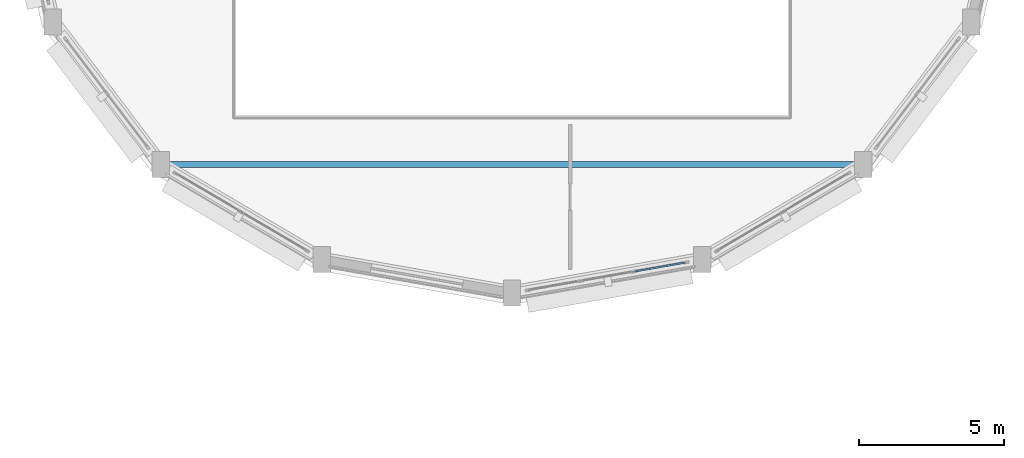
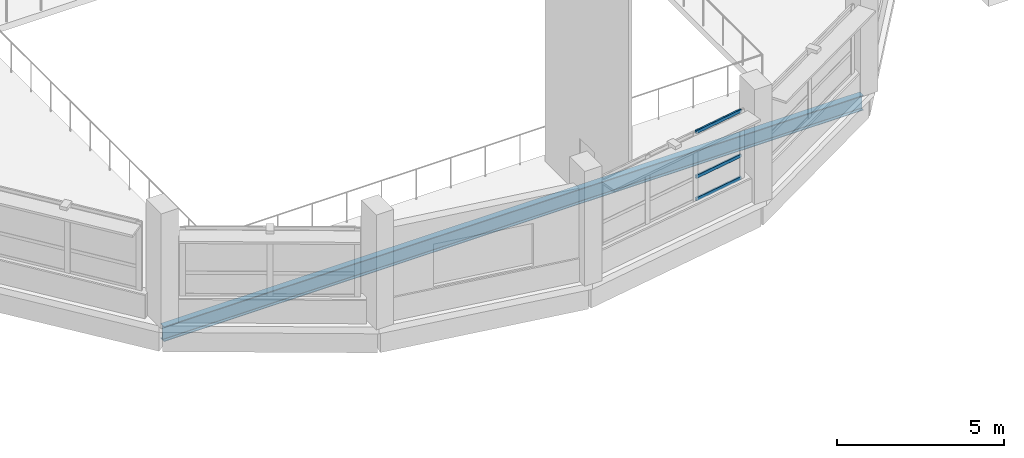
# One storey, part 93 of 128: 3 members, 1 beam, 1 element without a shape of its own.
"""IFC4 building model written with IfcOpenShell, lengths in metres."""

from ifc_helpers import new_model, si_unit, direction, frame, origin, origin_2d, place, context, subcontext, project, spatial, hollow_rectangle, i_section, extrude, material, layer, layer_set, material_profile, profile_set, type_object, element, aggregate, save


model = new_model("IFC4")

# Units and contexts
model_context = context("Model", 3, precision=1e-05, world=origin(), true_north=direction((0.0, 1.0)))
body_context = subcontext(model_context, "Body", "Model", "MODEL_VIEW")
ifc_project = project(units=[si_unit("LENGTHUNIT", "METRE"), si_unit("AREAUNIT", "SQUARE_METRE"), si_unit("VOLUMEUNIT", "CUBIC_METRE"), si_unit("PLANEANGLEUNIT", "RADIAN"), si_unit("MASSUNIT", "GRAM", prefix="KILO")], contexts=[model_context])

# Site, building, storey
site_placement = place(None, origin())
site = spatial("IfcSite", under=ifc_project, at=site_placement, CompositionType="ELEMENT")
building_placement = place(site_placement, origin())
building = spatial("IfcBuilding", under=site, at=building_placement, Name="Vespera Passage Community Centre", CompositionType="ELEMENT")
storey_placement = place(building_placement, frame((0.0, 0.0, 4.5)))
storey = spatial("IfcBuildingStorey", under=building, at=storey_placement, Name="L01", CompositionType="ELEMENT", Elevation=4.5)

# Beam
ifc_material_1 = material(Name="Steel ASTM A992 Grade 50", Category="steel")
ifc_material_profile_1 = material_profile(ifc_material_1, i_section(OverallWidth=0.2138671875, OverallDepth=0.548583984375, WebThickness=0.0146484375, FlangeThickness=0.023681640625, FilletRadius=0.0126953125, at=origin_2d()), Name="W21X93")
ifc_profile_set_1 = profile_set([ifc_material_profile_1], Name="Steel ASTM A992 Grade 50")
beam_type = type_object("IfcBeamType", Name="BM-G-W21X93", PredefinedType="BEAM", material=ifc_profile_set_1)
beam_placement = place(storey_placement, frame((130.908447265625, 78.82275390625, -0.514404296875), z_axis=(1.0, 0.0, 0.0), x_axis=(0.0, 1.0, 0.0)))
element("IfcBeam", 1, at=beam_placement, inside=storey, type_object=beam_type, Name="V2 L01 South Gallery Girder", PredefinedType="BEAM", context=body_context, shape_type="SweptSolid", body=[
    extrude(i_section(OverallWidth=0.2138671875, OverallDepth=0.548583984375, WebThickness=0.0146484375, FlangeThickness=0.023681640625, FilletRadius=0.0126953125, at=origin_2d()), origin(), (0.0, 0.0, 1.0), 24.18310546875),
])

# Curtain wall, members
ifc_material_2 = material(Name="Anodized aluminium 6063-T6", Category="aluminium")
ifc_layer = layer(ifc_material_2, 0.159912109375)
ifc_layer_set = layer_set([ifc_layer], Name="Anodized aluminium 6063-T6")
curtain_wall_type = type_object("IfcCurtainWallType", Name="CW-95E", PredefinedType="NOTDEFINED", material=ifc_layer_set)
curtain_wall_placement = place(storey_placement, origin())
curtain_wall = element("IfcCurtainWall", 2, at=curtain_wall_placement, inside=storey, type_object=curtain_wall_type, Name="Sports Drum Ribbon Curtain Wall L01.13", PredefinedType="NOTDEFINED")
ifc_material_3 = material(Name="Anodized aluminium 6063-T6", Category="aluminium")
ifc_material_profile_2 = material_profile(ifc_material_3, hollow_rectangle(XDim=0.06005859375, YDim=0.1201171875, WallThickness=0.00390625, InnerFilletRadius=0.001953125, OuterFilletRadius=0.00390625, at=origin_2d()), Name="ALU120X60X4")
ifc_profile_set_2 = profile_set([ifc_material_profile_2], Name="Anodized aluminium 6063-T6")
member_type = type_object("IfcMemberType", Name="MB-CWT-120E", PredefinedType="USERDEFINED", material=ifc_profile_set_2)
member_1_placement = place(storey_placement, frame((148.958251953125, 75.446533203125, 0.8798828125), z_axis=(-0.984924620758, -0.172984078529, 0.0), x_axis=(0.172984078529, -0.984924620758, 0.0)))
member_1 = element("IfcMember", 3, at=member_1_placement, type_object=member_type, Name="CW-95E transom 1.1", ObjectType="TRANSOM", PredefinedType="USERDEFINED", context=body_context, shape_type="SweptSolid", body=[
    extrude(hollow_rectangle(XDim=0.06005859375, YDim=0.1201171875, WallThickness=0.00390625, InnerFilletRadius=0.001953125, OuterFilletRadius=0.00390625, at=origin_2d()), origin(), (0.0, 0.0, 1.0), 1.755615234375),
])
member_2_placement = place(storey_placement, frame((148.958251953125, 75.446533203125, 1.699951171875), z_axis=(-0.984924620758, -0.172984078529, 0.0), x_axis=(0.172984078529, -0.984924620758, 0.0)))
member_2 = element("IfcMember", 4, at=member_2_placement, type_object=member_type, Name="CW-95E transom 1.2", ObjectType="TRANSOM", PredefinedType="USERDEFINED", context=body_context, shape_type="SweptSolid", body=[
    extrude(hollow_rectangle(XDim=0.06005859375, YDim=0.1201171875, WallThickness=0.00390625, InnerFilletRadius=0.001953125, OuterFilletRadius=0.00390625, at=origin_2d()), origin(), (0.0, 0.0, 1.0), 1.755615234375),
])
member_3_placement = place(storey_placement, frame((148.958251953125, 75.446533203125, 3.3349609375), z_axis=(-0.984924620758, -0.172984078529, 0.0), x_axis=(0.172984078529, -0.984924620758, 0.0)))
member_3 = element("IfcMember", 5, at=member_3_placement, type_object=member_type, Name="CW-95E transom 1.3", ObjectType="TRANSOM", PredefinedType="USERDEFINED", context=body_context, shape_type="SweptSolid", body=[
    extrude(hollow_rectangle(XDim=0.06005859375, YDim=0.1201171875, WallThickness=0.00390625, InnerFilletRadius=0.001953125, OuterFilletRadius=0.00390625, at=origin_2d()), origin(), (0.0, 0.0, 1.0), 1.755615234375),
])
aggregate(curtain_wall, [member_1, member_2, member_3])

save(model, "model.ifc")
